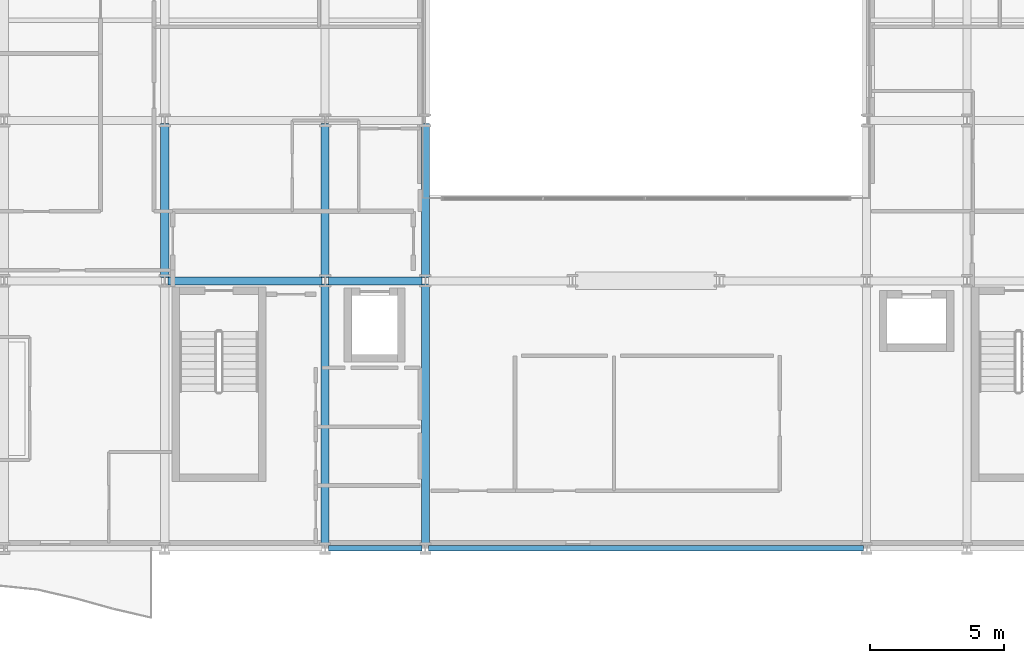
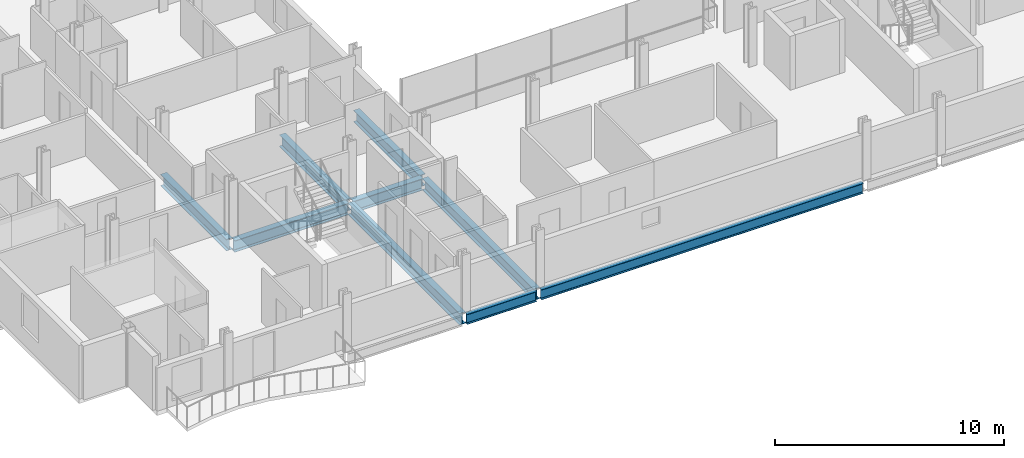
# One storey, part 3 of 41: 9 beams.
"""IFC4 building model written with IfcOpenShell, lengths in metres."""

from ifc_helpers import new_model, si_unit, direction, frame, origin, origin_2d, place, context, subcontext, project, spatial, i_section, extrude, material, material_profile, profile_set, type_object, element, save


model = new_model("IFC4")

# Units and contexts
model_context = context("Model", 3, precision=1e-05, world=origin(), true_north=direction((0.0, 1.0)))
body_context = subcontext(model_context, "Body", "Model", "MODEL_VIEW")
ifc_project = project(units=[si_unit("LENGTHUNIT", "METRE"), si_unit("AREAUNIT", "SQUARE_METRE"), si_unit("VOLUMEUNIT", "CUBIC_METRE"), si_unit("PLANEANGLEUNIT", "RADIAN"), si_unit("MASSUNIT", "GRAM", prefix="KILO")], contexts=[model_context])

# Site, building, storey
site_placement = place(None, origin())
site = spatial("IfcSite", under=ifc_project, at=site_placement, CompositionType="ELEMENT")
building_placement = place(site_placement, origin())
building = spatial("IfcBuilding", under=site, at=building_placement, Name="Brevholm Reach", CompositionType="ELEMENT")
storey_placement = place(building_placement, frame((0.0, 0.0, 55.89990234375)))
storey = spatial("IfcBuildingStorey", under=building, at=storey_placement, Name="L15", CompositionType="ELEMENT", Elevation=55.89990234375)

# Beams
ifc_material_1 = material(Name="Structural Steel S355J2", Category="steel")
ifc_material_profile_1 = material_profile(ifc_material_1, i_section(OverallWidth=0.210693359375, OverallDepth=0.53955078125, WebThickness=0.01171875, FlangeThickness=0.018798828125, FilletRadius=0.0126953125, at=origin_2d()), Name="UKB 533x210x109")
ifc_profile_set_1 = profile_set([ifc_material_profile_1], Name="Structural Steel S355J2")
beam_type_1 = type_object("IfcBeamType", Name="BM-SP539", PredefinedType="SPANDREL", material=ifc_profile_set_1)
beam_1_placement = place(storey_placement, frame((18.1201171875, 0.0, -0.499755859375), z_axis=(1.0, 0.0, 0.0), x_axis=(0.0, 1.0, 0.0)))
element("IfcBeam", 1, at=beam_1_placement, inside=storey, type_object=beam_type_1, Name="L15 SP-01B Framing Beam", PredefinedType="SPANDREL", context=body_context, shape_type="SweptSolid", body=[
    extrude(i_section(OverallWidth=0.210693359375, OverallDepth=0.53955078125, WebThickness=0.01171875, FlangeThickness=0.018798828125, FilletRadius=0.0126953125, at=origin_2d()), origin(), (0.0, 0.0, 1.0), 3.509765625),
])
beam_2_placement = place(storey_placement, frame((21.8701171875, 0.0, -0.499755859375), z_axis=(1.0, 0.0, 0.0), x_axis=(0.0, 1.0, 0.0)))
element("IfcBeam", 2, at=beam_2_placement, inside=storey, type_object=beam_type_1, Name="L15 SP-01B Framing Beam", PredefinedType="SPANDREL", context=body_context, shape_type="SweptSolid", body=[
    extrude(i_section(OverallWidth=0.210693359375, OverallDepth=0.53955078125, WebThickness=0.01171875, FlangeThickness=0.018798828125, FilletRadius=0.0126953125, at=origin_2d()), origin(), (0.0, 0.0, 1.0), 16.259765625),
])
ifc_material_2 = material(Name="Structural Steel S355J2", Category="steel")
ifc_material_profile_2 = material_profile(ifc_material_2, i_section(OverallWidth=0.30712890625, OverallDepth=0.6201171875, WebThickness=0.01416015625, FlangeThickness=0.023681640625, FilletRadius=0.0166015625, at=origin_2d()), Name="UKB 610x305x179")
ifc_profile_set_2 = profile_set([ifc_material_profile_2], Name="Structural Steel S355J2")
beam_type_2 = type_object("IfcBeamType", Name="BM-UKB610H", PredefinedType="USERDEFINED", material=ifc_profile_set_2)
beam_3_placement = place(storey_placement, frame((12.1201171875, 10.0, -0.5400390625), z_axis=(1.0, 0.0, 0.0), x_axis=(0.0, 1.0, 0.0)))
element("IfcBeam", 3, at=beam_3_placement, inside=storey, type_object=beam_type_2, Name="L15 G-06 Framing Beam", ObjectType="GIRDER", PredefinedType="USERDEFINED", context=body_context, shape_type="SweptSolid", body=[
    extrude(i_section(OverallWidth=0.30712890625, OverallDepth=0.6201171875, WebThickness=0.01416015625, FlangeThickness=0.023681640625, FilletRadius=0.0166015625, at=origin_2d()), origin(), (0.0, 0.0, 1.0), 5.759765625),
])
beam_4_placement = place(storey_placement, frame((18.1201171875, 10.0, -0.5400390625), z_axis=(1.0, 0.0, 0.0), x_axis=(0.0, 1.0, 0.0)))
element("IfcBeam", 4, at=beam_4_placement, inside=storey, type_object=beam_type_2, Name="L15 G-06 Framing Beam", ObjectType="GIRDER", PredefinedType="USERDEFINED", context=body_context, shape_type="SweptSolid", body=[
    extrude(i_section(OverallWidth=0.30712890625, OverallDepth=0.6201171875, WebThickness=0.01416015625, FlangeThickness=0.023681640625, FilletRadius=0.0166015625, at=origin_2d()), origin(), (0.0, 0.0, 1.0), 3.509765625),
])
beam_5_placement = place(storey_placement, frame((12.0, 10.1201171875, -0.5400390625), z_axis=(0.0, 1.0, 0.0), x_axis=(-1.0, 0.0, 0.0)))
element("IfcBeam", 5, at=beam_5_placement, inside=storey, type_object=beam_type_2, Name="L15 G-06 Framing Beam", ObjectType="GIRDER", PredefinedType="USERDEFINED", context=body_context, shape_type="SweptSolid", body=[
    extrude(i_section(OverallWidth=0.30712890625, OverallDepth=0.6201171875, WebThickness=0.01416015625, FlangeThickness=0.023681640625, FilletRadius=0.0166015625, at=origin_2d()), origin(), (0.0, 0.0, 1.0), 5.759765625),
])
beam_6_placement = place(storey_placement, frame((18.0, 0.1201171875, -0.5400390625), z_axis=(0.0, 1.0, 0.0), x_axis=(-1.0, 0.0, 0.0)))
element("IfcBeam", 6, at=beam_6_placement, inside=storey, type_object=beam_type_2, Name="L15 G-06 Framing Beam", ObjectType="GIRDER", PredefinedType="USERDEFINED", context=body_context, shape_type="SweptSolid", body=[
    extrude(i_section(OverallWidth=0.30712890625, OverallDepth=0.6201171875, WebThickness=0.01416015625, FlangeThickness=0.023681640625, FilletRadius=0.0166015625, at=origin_2d()), origin(), (0.0, 0.0, 1.0), 9.759765625),
])
beam_7_placement = place(storey_placement, frame((18.0, 10.1201171875, -0.5400390625), z_axis=(0.0, 1.0, 0.0), x_axis=(-1.0, 0.0, 0.0)))
element("IfcBeam", 7, at=beam_7_placement, inside=storey, type_object=beam_type_2, Name="L15 G-06 Framing Beam", ObjectType="GIRDER", PredefinedType="USERDEFINED", context=body_context, shape_type="SweptSolid", body=[
    extrude(i_section(OverallWidth=0.30712890625, OverallDepth=0.6201171875, WebThickness=0.01416015625, FlangeThickness=0.023681640625, FilletRadius=0.0166015625, at=origin_2d()), origin(), (0.0, 0.0, 1.0), 5.759765625),
])
beam_8_placement = place(storey_placement, frame((21.75, 0.1201171875, -0.5400390625), z_axis=(0.0, 1.0, 0.0), x_axis=(-1.0, 0.0, 0.0)))
element("IfcBeam", 8, at=beam_8_placement, inside=storey, type_object=beam_type_2, Name="L15 G-06 Framing Beam", ObjectType="GIRDER", PredefinedType="USERDEFINED", context=body_context, shape_type="SweptSolid", body=[
    extrude(i_section(OverallWidth=0.30712890625, OverallDepth=0.6201171875, WebThickness=0.01416015625, FlangeThickness=0.023681640625, FilletRadius=0.0166015625, at=origin_2d()), origin(), (0.0, 0.0, 1.0), 9.759765625),
])
beam_9_placement = place(storey_placement, frame((21.75, 10.1201171875, -0.5400390625), z_axis=(0.0, 1.0, 0.0), x_axis=(-1.0, 0.0, 0.0)))
element("IfcBeam", 9, at=beam_9_placement, inside=storey, type_object=beam_type_2, Name="L15 G-06 Framing Beam", ObjectType="GIRDER", PredefinedType="USERDEFINED", context=body_context, shape_type="SweptSolid", body=[
    extrude(i_section(OverallWidth=0.30712890625, OverallDepth=0.6201171875, WebThickness=0.01416015625, FlangeThickness=0.023681640625, FilletRadius=0.0166015625, at=origin_2d()), origin(), (0.0, 0.0, 1.0), 5.759765625),
])

save(model, "model.ifc")
